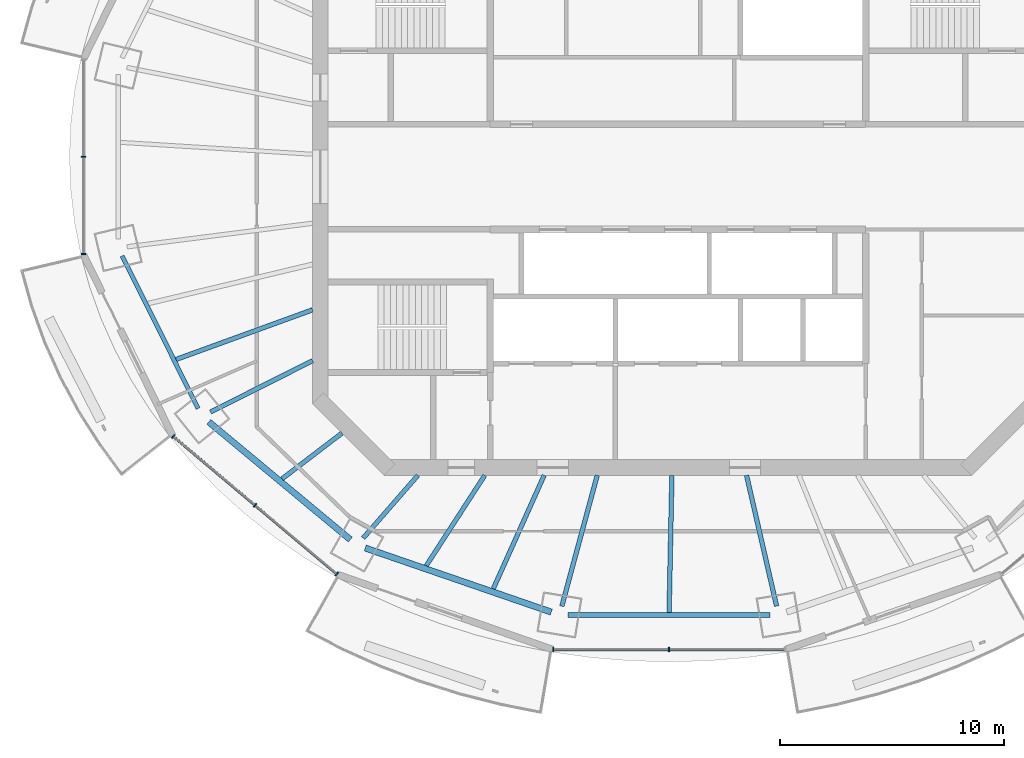
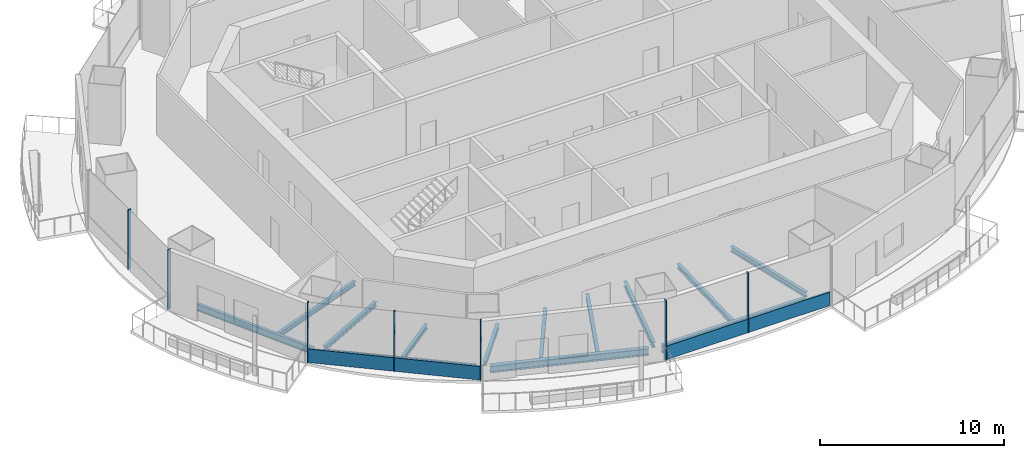
# One storey, part 2 of 16: 13 beams, 9 members, 3 elements without a shape of their own.
"""IFC4 building model written with IfcOpenShell, lengths in metres."""

from ifc_helpers import new_model, si_unit, direction, frame, origin, origin_2d, place, context, subcontext, project, spatial, rectangle, i_section, extrude, material, material_profile, profile_set, type_object, element, aggregate, save


model = new_model("IFC4")

# Units and contexts
model_context = context("Model", 3, precision=1e-05, world=origin(), true_north=direction((0.0, 1.0)))
body_context = subcontext(model_context, "Body", "Model", "MODEL_VIEW")
ifc_project = project(units=[si_unit("LENGTHUNIT", "METRE"), si_unit("AREAUNIT", "SQUARE_METRE"), si_unit("VOLUMEUNIT", "CUBIC_METRE"), si_unit("PLANEANGLEUNIT", "RADIAN"), si_unit("MASSUNIT", "GRAM", prefix="KILO")], contexts=[model_context])

# Site, building, storey
site_placement = place(None, origin())
site = spatial("IfcSite", under=ifc_project, at=site_placement, CompositionType="ELEMENT")
building_placement = place(site_placement, origin())
building = spatial("IfcBuilding", under=site, at=building_placement, Name="Marenthal Gate Tower", CompositionType="ELEMENT")
storey_placement = place(building_placement, frame((0.0, 0.0, 346.75)))
storey = spatial("IfcBuildingStorey", under=building, at=storey_placement, Name="L78", CompositionType="ELEMENT", Elevation=346.75)

# Curtain wall, members
ifc_material_1 = material(Name="Aluminium and glass", Category="aluminium")
curtain_wall_type = type_object("IfcCurtainWallType", Name="Curtain wall typical high", PredefinedType="NOTDEFINED", material=ifc_material_1)
curtain_wall_1_placement = place(storey_placement, origin())
curtain_wall_1 = element("IfcCurtainWall", 1, at=curtain_wall_1_placement, inside=storey, type_object=curtain_wall_type, Name="Curtain wall L78 bay 8", PredefinedType="NOTDEFINED")
ifc_material_2 = material(Name="Aluminium", Category="aluminium")
ifc_material_profile_1 = material_profile(ifc_material_2, rectangle(XDim=0.199951171875, YDim=0.06005859375, at=origin_2d()), Name="60x200 aluminium mullion")
ifc_profile_set_1 = profile_set([ifc_material_profile_1], Name="Aluminium")
member_type_1 = type_object("IfcMemberType", Name="Mullion 60x200 typical high", PredefinedType="MULLION", material=ifc_profile_set_1)
member_1_placement = place(storey_placement, frame((-26.59375, 0.89990234375, 0.0), z_axis=(0.0, 0.0, 1.0), x_axis=(1.0, 0.0, 0.0)))
member_1 = element("IfcMember", 2, at=member_1_placement, type_object=member_type_1, Name="Mullion L78 bay 8.2", PredefinedType="MULLION", context=body_context, shape_type="SweptSolid", body=[
    extrude(rectangle(XDim=0.199951171875, YDim=0.06005859375, at=origin_2d()), origin(), (0.0, 0.0, 1.0), 3.969970703125),
])
member_2_placement = place(storey_placement, frame((-26.59375, -3.454833984375, 0.0), z_axis=(0.0, 0.0, 1.0), x_axis=(1.0, 0.0, 0.0)))
member_2 = element("IfcMember", 3, at=member_2_placement, type_object=member_type_1, Name="Mullion L78 bay 8.3", PredefinedType="MULLION", context=body_context, shape_type="SweptSolid", body=[
    extrude(rectangle(XDim=0.199951171875, YDim=0.06005859375, at=origin_2d()), origin(), (0.0, 0.0, 1.0), 3.969970703125),
])
aggregate(curtain_wall_1, [member_1, member_2])

curtain_wall_2_placement = place(storey_placement, origin())
curtain_wall_2 = element("IfcCurtainWall", 4, at=curtain_wall_2_placement, inside=storey, type_object=curtain_wall_type, Name="Curtain wall L78 bay 10", PredefinedType="NOTDEFINED")
member_3_placement = place(storey_placement, frame((-22.583251953125, -11.606201171875, 0.0), z_axis=(0.0, 0.0, 1.0), x_axis=(0.643895579249, 0.765113379195, 0.0)))
member_3 = element("IfcMember", 5, at=member_3_placement, type_object=member_type_1, Name="Mullion L78 bay 10.1", PredefinedType="MULLION", context=body_context, shape_type="SweptSolid", body=[
    extrude(rectangle(XDim=0.199951171875, YDim=0.06005859375, at=origin_2d()), origin(), (0.0, 0.0, 1.0), 3.969970703125),
])
member_4_placement = place(storey_placement, frame((-18.921875, -14.6875, 0.0), z_axis=(0.0, 0.0, 1.0), x_axis=(0.643895579249, 0.765113379195, 0.0)))
member_4 = element("IfcMember", 6, at=member_4_placement, type_object=member_type_1, Name="Mullion L78 bay 10.2", PredefinedType="MULLION", context=body_context, shape_type="SweptSolid", body=[
    extrude(rectangle(XDim=0.199951171875, YDim=0.06005859375, at=origin_2d()), origin(), (0.0, 0.0, 1.0), 3.969970703125),
])
member_5_placement = place(storey_placement, frame((-15.260498046875, -17.768798828125, 0.0), z_axis=(0.0, 0.0, 1.0), x_axis=(0.643895579249, 0.765113379195, 0.0)))
member_5 = element("IfcMember", 7, at=member_5_placement, type_object=member_type_1, Name="Mullion L78 bay 10.3", PredefinedType="MULLION", context=body_context, shape_type="SweptSolid", body=[
    extrude(rectangle(XDim=0.199951171875, YDim=0.06005859375, at=origin_2d()), origin(), (0.0, 0.0, 1.0), 3.969970703125),
])

curtain_wall_3_placement = place(storey_placement, origin())
curtain_wall_3 = element("IfcCurtainWall", 8, at=curtain_wall_3_placement, inside=storey, type_object=curtain_wall_type, Name="Curtain wall L78 bay 12", PredefinedType="NOTDEFINED")
member_6_placement = place(storey_placement, frame((-5.580322265625, -21.14404296875, 0.0), z_axis=(0.0, 0.0, 1.0), x_axis=(0.0, 1.0, 0.0)))
member_6 = element("IfcMember", 9, at=member_6_placement, type_object=member_type_1, Name="Mullion L78 bay 12.1", PredefinedType="MULLION", context=body_context, shape_type="SweptSolid", body=[
    extrude(rectangle(XDim=0.199951171875, YDim=0.06005859375, at=origin_2d()), origin(), (0.0, 0.0, 1.0), 3.969970703125),
])
member_7_placement = place(storey_placement, frame((-0.39990234375, -21.14404296875, 0.0), z_axis=(0.0, 0.0, 1.0), x_axis=(0.0, 1.0, 0.0)))
member_7 = element("IfcMember", 10, at=member_7_placement, type_object=member_type_1, Name="Mullion L78 bay 12.2", PredefinedType="MULLION", context=body_context, shape_type="SweptSolid", body=[
    extrude(rectangle(XDim=0.199951171875, YDim=0.06005859375, at=origin_2d()), origin(), (0.0, 0.0, 1.0), 3.969970703125),
])

# Member
ifc_material_3 = material(Name="Aluminium", Category="aluminium")
ifc_material_profile_2 = material_profile(ifc_material_3, rectangle(XDim=0.1201171875, YDim=0.89990234375, at=origin_2d()), Name="120x900 aluminium transom")
ifc_profile_set_2 = profile_set([ifc_material_profile_2], Name="Aluminium")
member_type_2 = type_object("IfcMemberType", Name="Transom 120x900 typical high", PredefinedType="USERDEFINED", material=ifc_profile_set_2)
member_8_placement = place(storey_placement, frame((-22.560302734375, -11.625732421875, 0.449951171875), z_axis=(0.765123507082, -0.643883544526, 0.0), x_axis=(0.643883544526, 0.765123507082, 0.0)))
member_8 = element("IfcMember", 11, at=member_8_placement, type_object=member_type_2, Name="Transom L78 bay 10", ObjectType="TRANSOM", PredefinedType="USERDEFINED", context=body_context, shape_type="SweptSolid", body=[
    extrude(rectangle(XDim=0.1201171875, YDim=0.89990234375, at=origin_2d()), origin(), (0.0, 0.0, 1.0), 9.5107421875),
])

aggregate(curtain_wall_2, [member_3, member_4, member_5, member_8])

member_9_placement = place(storey_placement, frame((-5.55029296875, -21.14404296875, 0.449951171875), z_axis=(1.0, 0.0, 0.0), x_axis=(0.0, 1.0, 0.0)))
member_9 = element("IfcMember", 12, at=member_9_placement, type_object=member_type_2, Name="Transom L78 bay 12", ObjectType="TRANSOM", PredefinedType="USERDEFINED", context=body_context, shape_type="SweptSolid", body=[
    extrude(rectangle(XDim=0.1201171875, YDim=0.89990234375, at=origin_2d()), origin(), (0.0, 0.0, 1.0), 10.300537109375),
])

aggregate(curtain_wall_3, [member_6, member_7, member_9])

# Beams
ifc_material_4 = material(Name="Steel S355", Category="steel")
ifc_material_profile_3 = material_profile(ifc_material_4, i_section(OverallWidth=0.202880859375, OverallDepth=0.302001953125, WebThickness=0.007568359375, FlangeThickness=0.01318359375, FilletRadius=0.0126953125, at=origin_2d()), Name="W310X60")
ifc_profile_set_3 = profile_set([ifc_material_profile_3], Name="Steel S355")
beam_type_1 = type_object("IfcBeamType", Name="W310X60 beam", PredefinedType="BEAM", material=ifc_profile_set_3)
beam_1_placement = place(storey_placement, frame((-17.712158203125, -13.5048828125, -0.3310546875), z_axis=(0.79522706863, 0.606311726192, 0.0), x_axis=(-0.606311726192, 0.79522706863, 0.0)))
element("IfcBeam", 13, at=beam_1_placement, inside=storey, type_object=beam_type_1, Name="BM-L78-31", PredefinedType="BEAM", context=body_context, shape_type="SweptSolid", body=[
    extrude(i_section(OverallWidth=0.202880859375, OverallDepth=0.302001953125, WebThickness=0.007568359375, FlangeThickness=0.01318359375, FilletRadius=0.0126953125, at=origin_2d()), origin(), (0.0, 0.0, 1.0), 3.369140625),
])
beam_2_placement = place(storey_placement, frame((-11.262451171875, -17.393798828125, -0.3310546875), z_axis=(0.543528621465, 0.839390634716, 0.0), x_axis=(-0.839390634716, 0.543528621465, 0.0)))
element("IfcBeam", 14, at=beam_2_placement, inside=storey, type_object=beam_type_1, Name="BM-L78-32", PredefinedType="BEAM", context=body_context, shape_type="SweptSolid", body=[
    extrude(i_section(OverallWidth=0.202880859375, OverallDepth=0.302001953125, WebThickness=0.007568359375, FlangeThickness=0.01318359375, FilletRadius=0.0126953125, at=origin_2d()), origin(), (0.0, 0.0, 1.0), 4.8173828125),
])
beam_3_placement = place(storey_placement, frame((-8.263916015625, -18.4267578125, -0.3310546875), z_axis=(0.40918567328, 0.912451141038, 0.0), x_axis=(-0.912451141038, 0.40918567328, 0.0)))
element("IfcBeam", 15, at=beam_3_placement, inside=storey, type_object=beam_type_1, Name="BM-L78-33", PredefinedType="BEAM", context=body_context, shape_type="SweptSolid", body=[
    extrude(i_section(OverallWidth=0.202880859375, OverallDepth=0.302001953125, WebThickness=0.007568359375, FlangeThickness=0.01318359375, FilletRadius=0.0126953125, at=origin_2d()), origin(), (0.0, 0.0, 1.0), 5.563720703125),
])
ifc_material_5 = material(Name="Steel S355", Category="steel")
ifc_material_profile_4 = material_profile(ifc_material_5, i_section(OverallWidth=0.205078125, OverallDepth=0.31005859375, WebThickness=0.009521484375, FlangeThickness=0.016357421875, FilletRadius=0.0126953125, at=origin_2d()), Name="W310X74")
ifc_profile_set_4 = profile_set([ifc_material_profile_4], Name="Steel S355")
beam_type_2 = type_object("IfcBeamType", Name="W310X74 beam", PredefinedType="BEAM", material=ifc_profile_set_4)
beam_4_placement = place(storey_placement, frame((-20.916748046875, -10.520263671875, -0.3349609375), z_axis=(0.893364389056, 0.449332914848, 0.0), x_axis=(-0.449332914848, 0.893364389056, 0.0)))
element("IfcBeam", 16, at=beam_4_placement, inside=storey, type_object=beam_type_2, Name="BM-L78-10", PredefinedType="BEAM", context=body_context, shape_type="SweptSolid", body=[
    extrude(i_section(OverallWidth=0.205078125, OverallDepth=0.31005859375, WebThickness=0.009521484375, FlangeThickness=0.016357421875, FilletRadius=0.0126953125, at=origin_2d()), origin(), (0.0, 0.0, 1.0), 5.11181640625),
])
beam_5_placement = place(storey_placement, frame((-14.083740234375, -16.15771484375, -0.3349609375), z_axis=(0.657074080223, 0.753826009832, 0.0), x_axis=(-0.753826009832, 0.657074080223, 0.0)))
element("IfcBeam", 17, at=beam_5_placement, inside=storey, type_object=beam_type_2, Name="BM-L78-11", PredefinedType="BEAM", context=body_context, shape_type="SweptSolid", body=[
    extrude(i_section(OverallWidth=0.205078125, OverallDepth=0.31005859375, WebThickness=0.009521484375, FlangeThickness=0.016357421875, FilletRadius=0.0126953125, at=origin_2d()), origin(), (0.0, 0.0, 1.0), 3.724609375),
])
beam_6_placement = place(storey_placement, frame((-22.45263671875, -8.16552734375, -0.3349609375), z_axis=(0.9397747608, 0.341794381118, 0.0), x_axis=(-0.341794381118, 0.9397747608, 0.0)))
element("IfcBeam", 18, at=beam_6_placement, inside=storey, type_object=beam_type_2, Name="BM-L78-30", PredefinedType="BEAM", context=body_context, shape_type="SweptSolid", body=[
    extrude(i_section(OverallWidth=0.205078125, OverallDepth=0.31005859375, WebThickness=0.009521484375, FlangeThickness=0.016357421875, FilletRadius=0.0126953125, at=origin_2d()), origin(), (0.0, 0.0, 1.0), 6.49365234375),
])
beam_7_placement = place(storey_placement, frame((-0.397705078125, -19.488525390625, -0.3349609375), z_axis=(0.020399047601, 0.999791917779, 0.0), x_axis=(-0.999791917779, 0.020399047601, 0.0)))
element("IfcBeam", 19, at=beam_7_placement, inside=storey, type_object=beam_type_2, Name="BM-L78-34", PredefinedType="BEAM", context=body_context, shape_type="SweptSolid", body=[
    extrude(i_section(OverallWidth=0.205078125, OverallDepth=0.31005859375, WebThickness=0.009521484375, FlangeThickness=0.016357421875, FilletRadius=0.0126953125, at=origin_2d()), origin(), (0.0, 0.0, 1.0), 6.1396484375),
])
ifc_material_6 = material(Name="Steel S355", Category="steel")
ifc_material_profile_5 = material_profile(ifc_material_6, i_section(OverallWidth=0.205078125, OverallDepth=0.35302734375, WebThickness=0.009521484375, FlangeThickness=0.016845703125, FilletRadius=0.014892578125, at=origin_2d()), Name="W360X79")
ifc_profile_set_5 = profile_set([ifc_material_profile_5], Name="Steel S355")
beam_type_3 = type_object("IfcBeamType", Name="W360X79 beam", PredefinedType="BEAM", material=ifc_profile_set_5)
beam_8_placement = place(storey_placement, frame((-5.1962890625, -19.2041015625, -0.3564453125), z_axis=(0.261188869027, 0.965287716019, 0.0), x_axis=(-0.965287716019, 0.261188869027, 0.0)))
element("IfcBeam", 20, at=beam_8_placement, inside=storey, type_object=beam_type_3, Name="BM-L78-12", PredefinedType="BEAM", context=body_context, shape_type="SweptSolid", body=[
    extrude(i_section(OverallWidth=0.205078125, OverallDepth=0.35302734375, WebThickness=0.009521484375, FlangeThickness=0.016845703125, FilletRadius=0.014892578125, at=origin_2d()), origin(), (0.0, 0.0, 1.0), 6.064453125),
])
beam_9_placement = place(storey_placement, frame((4.412109375, -19.202880859375, -0.3564453125), z_axis=(-0.223924124815, 0.97460658028, 0.0), x_axis=(-0.97460658028, -0.223924124815, 0.0)))
element("IfcBeam", 21, at=beam_9_placement, inside=storey, type_object=beam_type_3, Name="BM-L78-13", PredefinedType="BEAM", context=body_context, shape_type="SweptSolid", body=[
    extrude(i_section(OverallWidth=0.205078125, OverallDepth=0.35302734375, WebThickness=0.009521484375, FlangeThickness=0.016845703125, FilletRadius=0.014892578125, at=origin_2d()), origin(), (0.0, 0.0, 1.0), 6.00537109375),
])
ifc_material_7 = material(Name="Steel S355", Category="steel")
ifc_material_profile_6 = material_profile(ifc_material_7, i_section(OverallWidth=0.279052734375, OverallDepth=0.4619140625, WebThickness=0.0107421875, FlangeThickness=0.017333984375, FilletRadius=0.010009765625, at=origin_2d()), Name="W460X113")
ifc_profile_set_6 = profile_set([ifc_material_profile_6], Name="Steel S355")
beam_type_4 = type_object("IfcBeamType", Name="W460X113 beam", PredefinedType="BEAM", material=ifc_profile_set_6)
beam_10_placement = place(storey_placement, frame((-20.990234375, -10.96044921875, -0.410888671875), z_axis=(0.768884423739, -0.639387787599, 0.0), x_axis=(0.639387787599, 0.768884423739, 0.0)))
element("IfcBeam", 22, at=beam_10_placement, inside=storey, type_object=beam_type_4, Name="BM-L78-49", PredefinedType="BEAM", context=body_context, shape_type="SweptSolid", body=[
    extrude(i_section(OverallWidth=0.279052734375, OverallDepth=0.4619140625, WebThickness=0.0107421875, FlangeThickness=0.017333984375, FilletRadius=0.010009765625, at=origin_2d()), origin(), (0.0, 0.0, 1.0), 8.233154296875),
])
beam_11_placement = place(storey_placement, frame((-13.9921875, -16.60107421875, -0.410888671875), z_axis=(0.945480202409, -0.325679576966, 0.0), x_axis=(0.325679576966, 0.945480202409, 0.0)))
element("IfcBeam", 23, at=beam_11_placement, inside=storey, type_object=beam_type_4, Name="BM-L78-50", PredefinedType="BEAM", context=body_context, shape_type="SweptSolid", body=[
    extrude(i_section(OverallWidth=0.279052734375, OverallDepth=0.4619140625, WebThickness=0.0107421875, FlangeThickness=0.017333984375, FilletRadius=0.010009765625, at=origin_2d()), origin(), (0.0, 0.0, 1.0), 8.8037109375),
])
ifc_material_8 = material(Name="Steel S355", Category="steel")
ifc_material_profile_7 = material_profile(ifc_material_8, i_section(OverallWidth=0.19091796875, OverallDepth=0.45703125, WebThickness=0.009033203125, FlangeThickness=0.014404296875, FilletRadius=0.01025390625, at=origin_2d()), Name="W460X74")
ifc_profile_set_7 = profile_set([ifc_material_profile_7], Name="Steel S355")
beam_type_5 = type_object("IfcBeamType", Name="W460X74 beam", PredefinedType="BEAM", material=ifc_profile_set_7)
beam_12_placement = place(storey_placement, frame((-24.86669921875, -3.532958984375, -0.408447265625), z_axis=(0.445842036963, -0.895111656765, 0.0), x_axis=(0.895111656765, 0.445842036963, 0.0)))
element("IfcBeam", 24, at=beam_12_placement, inside=storey, type_object=beam_type_5, Name="BM-L78-48", PredefinedType="BEAM", context=body_context, shape_type="SweptSolid", body=[
    extrude(i_section(OverallWidth=0.19091796875, OverallDepth=0.45703125, WebThickness=0.009033203125, FlangeThickness=0.014404296875, FilletRadius=0.01025390625, at=origin_2d()), origin(), (0.0, 0.0, 1.0), 7.621337890625),
])
ifc_material_9 = material(Name="Steel S355", Category="steel")
ifc_material_profile_8 = material_profile(ifc_material_9, i_section(OverallWidth=0.2119140625, OverallDepth=0.5439453125, WebThickness=0.01318359375, FlangeThickness=0.021240234375, FilletRadius=0.0126953125, at=origin_2d()), Name="W530X123")
ifc_profile_set_8 = profile_set([ifc_material_profile_8], Name="Steel S355")
beam_type_6 = type_object("IfcBeamType", Name="W530X123 beam", PredefinedType="BEAM", material=ifc_profile_set_8)
beam_13_placement = place(storey_placement, frame((-4.9150390625, -19.594482421875, -0.451904296875), z_axis=(1.0, 0.0, 0.0), x_axis=(0.0, 1.0, 0.0)))
element("IfcBeam", 25, at=beam_13_placement, inside=storey, type_object=beam_type_6, Name="BM-L78-51", PredefinedType="BEAM", context=body_context, shape_type="SweptSolid", body=[
    extrude(i_section(OverallWidth=0.2119140625, OverallDepth=0.5439453125, WebThickness=0.01318359375, FlangeThickness=0.021240234375, FilletRadius=0.0126953125, at=origin_2d()), origin(), (0.0, 0.0, 1.0), 9.030029296875),
])

save(model, "model.ifc")
